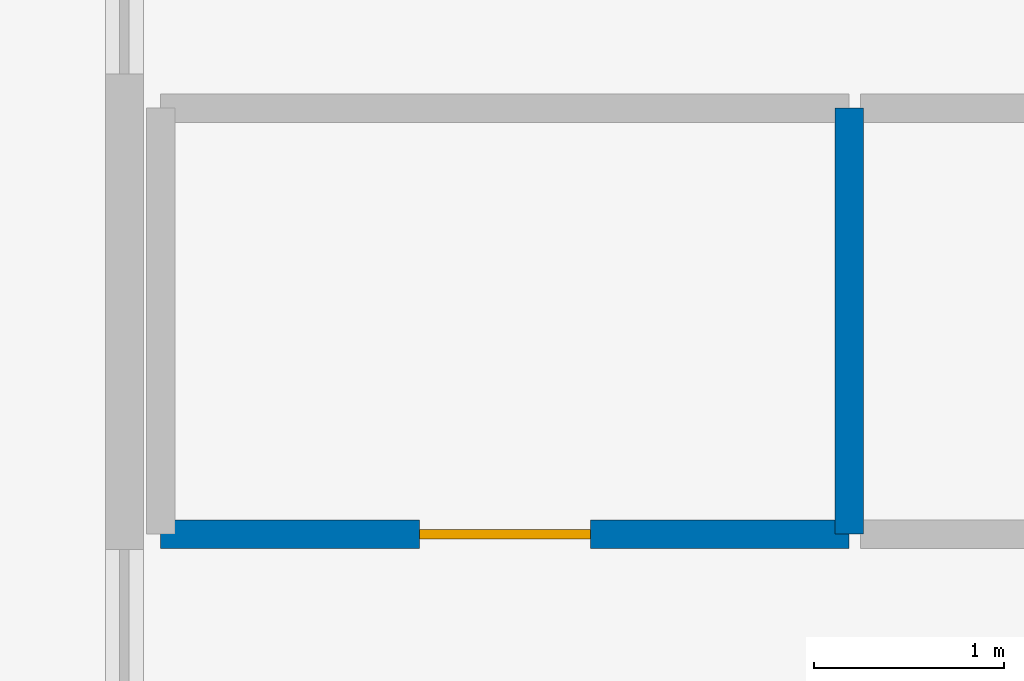
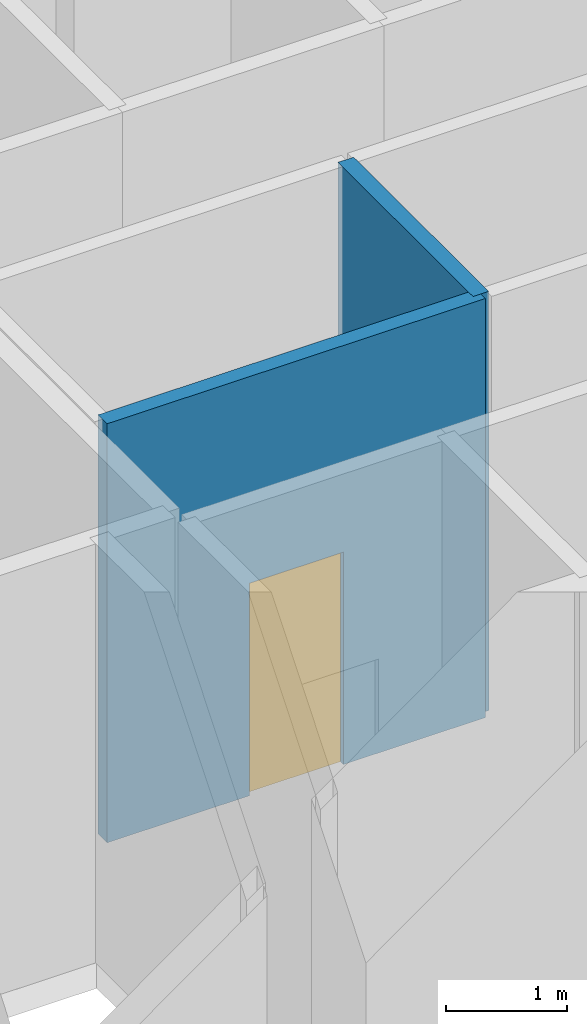
# One storey, part 3 of 13: 2 walls, 1 door, 1 opening.
"""IFC4 building model written with IfcOpenShell, lengths in metres."""

from ifc_helpers import new_model, si_unit, direction, frame, frame_2d, origin, place, context, subcontext, project, spatial, rectangle, extrude, material, layer, layer_set, type_object, element, fill, save


model = new_model("IFC4")

# Units and contexts
model_context = context("Model", 3, precision=1e-05, world=origin(), true_north=direction((0.0, 1.0)))
body_context = subcontext(model_context, "Body", "Model", "MODEL_VIEW")
ifc_project = project(units=[si_unit("LENGTHUNIT", "METRE"), si_unit("AREAUNIT", "SQUARE_METRE"), si_unit("VOLUMEUNIT", "CUBIC_METRE"), si_unit("PLANEANGLEUNIT", "RADIAN"), si_unit("MASSUNIT", "GRAM", prefix="KILO")], contexts=[model_context])

# Site, building, storey
site_placement = place(None, origin())
site = spatial("IfcSite", under=ifc_project, at=site_placement, CompositionType="ELEMENT")
building_placement = place(site_placement, origin())
building = spatial("IfcBuilding", under=site, at=building_placement, Name="Zuhayl Quay Hotel", CompositionType="ELEMENT")
storey_placement = place(building_placement, frame((0.0, 0.0, -4.5)))
storey = spatial("IfcBuildingStorey", under=building, at=storey_placement, Name="B1", CompositionType="ELEMENT", Elevation=-4.5)

# Wall, opening, door
ifc_material_1 = material(Name="Acoustic Gypsum Partition STC-58")
ifc_layer = layer(ifc_material_1, 0.14990234375, Name="Acoustic Gypsum Partition STC-58")
ifc_layer_set = layer_set([ifc_layer], Name="Acoustic Gypsum Partition STC-58")
wall_type = type_object("IfcWallType", Name="WL_PART_150", PredefinedType="PARTITIONING", material=ifc_layer_set)
wall_1_placement = place(storey_placement, frame((-8.610107421875, 6.47998046875, 0.0), z_axis=(0.0, 0.0, 1.0), x_axis=(1.0, 0.0, 0.0)))
wall_1 = element("IfcWall", 1, at=wall_1_placement, inside=storey, type_object=wall_type, Name="B1 Partition IW_B1_CORE_SW_S", PredefinedType="PARTITIONING", context=body_context, shape_type="SweptSolid", body=[
    extrude(rectangle(XDim=3.6201171875, YDim=0.14990234375, at=frame_2d((1.81005859375, 0.0))), origin(), (0.0, 0.0, 1.0), 4.239990234375),
])
opening_placement = place(wall_1_placement, frame((1.360107421875, 0.0, 0.0)))
opening = element("IfcOpeningElement", 2, at=opening_placement, cuts=wall_1, Name="Opening D06", PredefinedType="OPENING", context=body_context, shape_type="SweptSolid", body=[
    extrude(rectangle(XDim=0.89990234375, YDim=2.14990234375, at=frame_2d((0.449951171875, 1.074951171875))), frame((0.0, 0.0849609375, 0.0), z_axis=(0.0, -1.0, 0.0), x_axis=(1.0, 0.0, 0.0)), (0.0, 0.0, 1.0), 0.169921875),
])
ifc_material_2 = material(Name="Steel ASTM A992 Grade 50", Category="steel")
door_type = type_object("IfcDoorType", Name="DR_INT_900", OperationType="NOTDEFINED", PredefinedType="DOOR", material=ifc_material_2)
door_placement = place(opening_placement, origin())
door = element("IfcDoor", 3, at=door_placement, inside=storey, type_object=door_type, Name="B1 Floor Switchgear Closet Door", OperationType="SINGLE_SWING_RIGHT", OverallHeight=2.14990234375, OverallWidth=0.89990234375, PredefinedType="DOOR", context=body_context, shape_type="SweptSolid", body=[
    extrude(rectangle(XDim=0.89990234375, YDim=2.14990234375, at=frame_2d((0.449951171875, 1.074951171875))), frame((0.0, 0.02490234375, 0.0), z_axis=(0.0, -1.0, 0.0), x_axis=(1.0, 0.0, 0.0)), (0.0, 0.0, 1.0), 0.050048828125),
])
fill(opening, door)

# Wall
wall_2_placement = place(storey_placement, frame((-4.989990234375, 6.47998046875, 0.0), z_axis=(0.0, 0.0, 1.0), x_axis=(0.0, 1.0, 0.0)))
element("IfcWall", 4, at=wall_2_placement, inside=storey, type_object=wall_type, Name="B1 Partition IW_B1_CORE_SW_E", PredefinedType="PARTITIONING", context=body_context, shape_type="SweptSolid", body=[
    extrude(rectangle(XDim=2.239990234375, YDim=0.14990234375, at=frame_2d((1.1201171875, 0.0))), origin(), (0.0, 0.0, 1.0), 4.239990234375),
])

save(model, "model.ifc")
